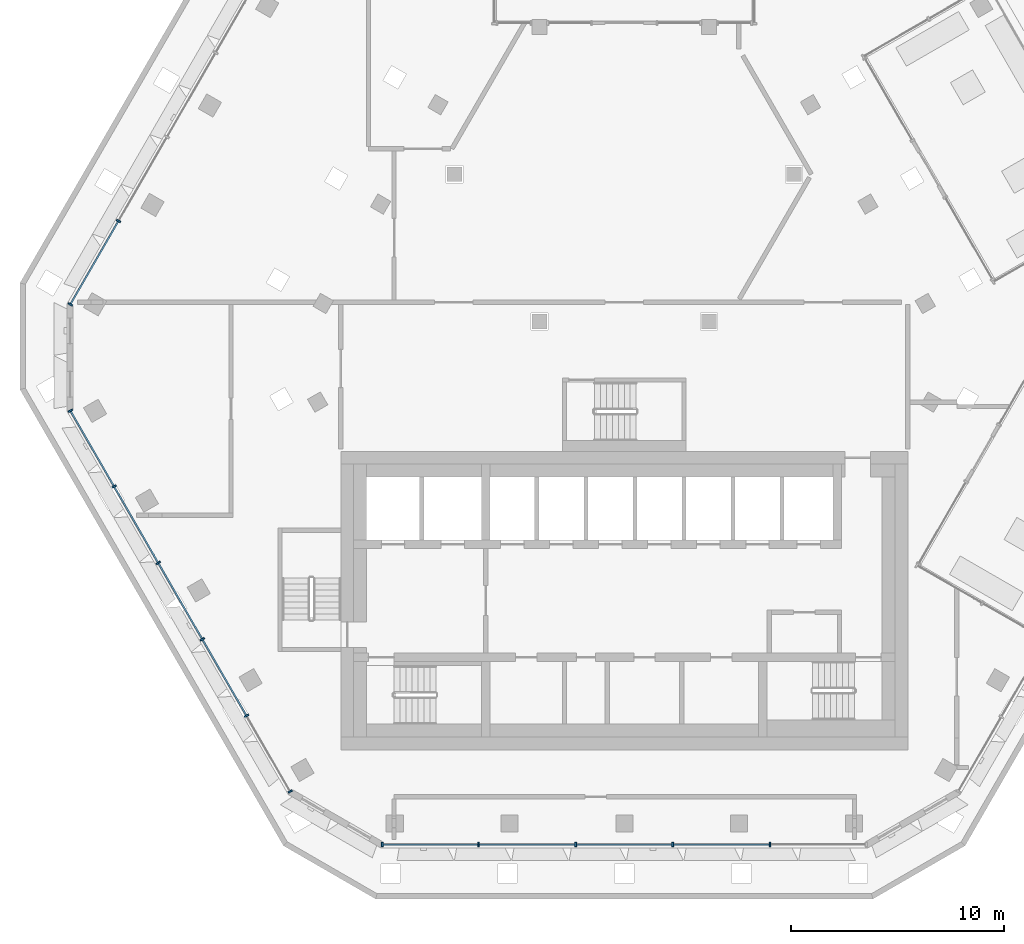
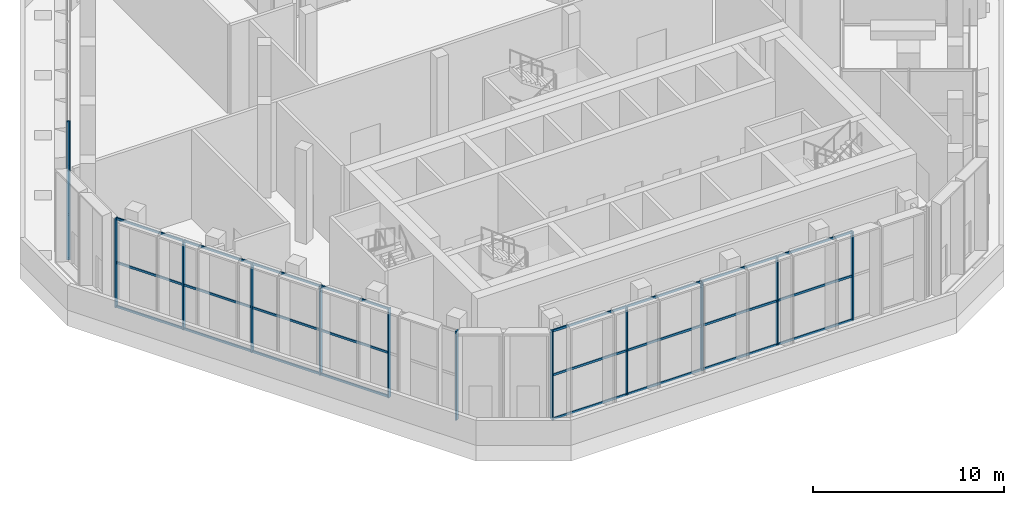
# One storey, part 2 of 23: 40 members, 3 elements without a shape of their own.
"""IFC4 building model written with IfcOpenShell, lengths in metres."""

from ifc_helpers import new_model, si_unit, direction, frame, origin, origin_2d, place, context, subcontext, project, spatial, rectangle, hollow_rectangle, extrude, material, material_profile, profile_set, type_object, element, aggregate, save


model = new_model("IFC4")

# Units and contexts
model_context = context("Model", 3, precision=1e-05, world=origin(), true_north=direction((0.0, 1.0)))
body_context = subcontext(model_context, "Body", "Model", "MODEL_VIEW")
ifc_project = project(units=[si_unit("LENGTHUNIT", "METRE"), si_unit("AREAUNIT", "SQUARE_METRE"), si_unit("VOLUMEUNIT", "CUBIC_METRE"), si_unit("PLANEANGLEUNIT", "RADIAN"), si_unit("MASSUNIT", "GRAM", prefix="KILO")], contexts=[model_context])

# Site, building, storey
site_placement = place(None, origin())
site = spatial("IfcSite", under=ifc_project, at=site_placement, CompositionType="ELEMENT")
building_placement = place(site_placement, origin())
building = spatial("IfcBuilding", under=site, at=building_placement, Name="Beryl Residences", CompositionType="ELEMENT")
storey_placement = place(building_placement, frame((0.0, 0.0, 157.199951171875)))
storey = spatial("IfcBuildingStorey", under=building, at=storey_placement, Name="L48", CompositionType="ELEMENT", Elevation=157.199951171875)

# Curtain wall, members
ifc_material_1 = material(Name="Aluminium and clear glass", Category="aluminium")
curtain_wall_type = type_object("IfcCurtainWallType", Name="CW3 sky garden glazing glazed wall", PredefinedType="NOTDEFINED", material=ifc_material_1)
curtain_wall_1_placement = place(storey_placement, origin())
curtain_wall_1 = element("IfcCurtainWall", 1, at=curtain_wall_1_placement, inside=storey, type_object=curtain_wall_type, Name="CW3 L48 NW", PredefinedType="NOTDEFINED")
ifc_material_2 = material(Name="Aluminium", Category="aluminium")
ifc_material_profile_1 = material_profile(ifc_material_2, rectangle(XDim=0.080078125, YDim=0.219970703125, at=origin_2d()))
ifc_profile_set_1 = profile_set([ifc_material_profile_1], Name="Aluminium")
member_type_1 = type_object("IfcMemberType", Name="CW3-M mullion 80 x 220 mm", PredefinedType="MULLION", material=ifc_profile_set_1)
member_1_placement = place(storey_placement, frame((-23.725830078125, 5.805908203125, 0.0), z_axis=(0.0, 0.0, 1.0), x_axis=(-0.499996022832, -0.866027699992, 0.0)))
member_1 = element("IfcMember", 2, at=member_1_placement, type_object=member_type_1, Name="CW3 mullion 5", PredefinedType="MULLION", context=body_context, shape_type="SweptSolid", body=[
    extrude(rectangle(XDim=0.080078125, YDim=0.219970703125, at=origin_2d()), origin(), (0.0, 0.0, 1.0), 5.699951171875),
])
member_2_placement = place(storey_placement, frame((-25.98388671875, 1.89453125, 0.0), z_axis=(0.0, 0.0, 1.0), x_axis=(-0.499996022832, -0.866027699992, 0.0)))
member_2 = element("IfcMember", 3, at=member_2_placement, type_object=member_type_1, Name="CW3 mullion 6", PredefinedType="MULLION", context=body_context, shape_type="SweptSolid", body=[
    extrude(rectangle(XDim=0.080078125, YDim=0.219970703125, at=origin_2d()), origin(), (0.0, 0.0, 1.0), 5.699951171875),
])

curtain_wall_2_placement = place(storey_placement, origin())
curtain_wall_2 = element("IfcCurtainWall", 4, at=curtain_wall_2_placement, inside=storey, type_object=curtain_wall_type, Name="CW3 L48 SW", PredefinedType="NOTDEFINED")
member_3_placement = place(storey_placement, frame((-25.98291015625, -3.0947265625, 0.0), z_axis=(0.0, 0.0, 1.0), x_axis=(0.500003972941, -0.866023109994, 0.0)))
member_3 = element("IfcMember", 5, at=member_3_placement, type_object=member_type_1, Name="CW3 mullion 1", PredefinedType="MULLION", context=body_context, shape_type="SweptSolid", body=[
    extrude(rectangle(XDim=0.080078125, YDim=0.219970703125, at=origin_2d()), origin(), (0.0, 0.0, 1.0), 5.699951171875),
])
member_4_placement = place(storey_placement, frame((-23.9326171875, -6.64599609375, 0.0), z_axis=(0.0, 0.0, 1.0), x_axis=(0.500003972941, -0.866023109994, 0.0)))
member_4 = element("IfcMember", 6, at=member_4_placement, type_object=member_type_1, Name="CW3 mullion 2", PredefinedType="MULLION", context=body_context, shape_type="SweptSolid", body=[
    extrude(rectangle(XDim=0.080078125, YDim=0.219970703125, at=origin_2d()), origin(), (0.0, 0.0, 1.0), 5.699951171875),
])
member_5_placement = place(storey_placement, frame((-21.8623046875, -10.23193359375, 0.0), z_axis=(0.0, 0.0, 1.0), x_axis=(0.500003972941, -0.866023109994, 0.0)))
member_5 = element("IfcMember", 7, at=member_5_placement, type_object=member_type_1, Name="CW3 mullion 3", PredefinedType="MULLION", context=body_context, shape_type="SweptSolid", body=[
    extrude(rectangle(XDim=0.080078125, YDim=0.219970703125, at=origin_2d()), origin(), (0.0, 0.0, 1.0), 5.699951171875),
])
member_6_placement = place(storey_placement, frame((-19.791748046875, -13.818115234375, 0.0), z_axis=(0.0, 0.0, 1.0), x_axis=(0.500003972941, -0.866023109994, 0.0)))
member_6 = element("IfcMember", 8, at=member_6_placement, type_object=member_type_1, Name="CW3 mullion 4", PredefinedType="MULLION", context=body_context, shape_type="SweptSolid", body=[
    extrude(rectangle(XDim=0.080078125, YDim=0.219970703125, at=origin_2d()), origin(), (0.0, 0.0, 1.0), 5.699951171875),
])
member_7_placement = place(storey_placement, frame((-17.721435546875, -17.404052734375, 0.0), z_axis=(0.0, 0.0, 1.0), x_axis=(0.500003972941, -0.866023109994, 0.0)))
member_7 = element("IfcMember", 9, at=member_7_placement, type_object=member_type_1, Name="CW3 mullion 5", PredefinedType="MULLION", context=body_context, shape_type="SweptSolid", body=[
    extrude(rectangle(XDim=0.080078125, YDim=0.219970703125, at=origin_2d()), origin(), (0.0, 0.0, 1.0), 5.699951171875),
])
member_8_placement = place(storey_placement, frame((-15.6708984375, -20.955322265625, 0.0), z_axis=(0.0, 0.0, 1.0), x_axis=(0.500003972941, -0.866023109994, 0.0)))
member_8 = element("IfcMember", 10, at=member_8_placement, type_object=member_type_1, Name="CW3 mullion 6", PredefinedType="MULLION", context=body_context, shape_type="SweptSolid", body=[
    extrude(rectangle(XDim=0.080078125, YDim=0.219970703125, at=origin_2d()), origin(), (0.0, 0.0, 1.0), 5.699951171875),
])

curtain_wall_3_placement = place(storey_placement, origin())
curtain_wall_3 = element("IfcCurtainWall", 11, at=curtain_wall_3_placement, inside=storey, type_object=curtain_wall_type, Name="CW3 L48 S", PredefinedType="NOTDEFINED")
member_9_placement = place(storey_placement, frame((-11.35107421875, -23.449951171875, 0.0), z_axis=(0.0, 0.0, 1.0), x_axis=(1.0, 0.0, 0.0)))
member_9 = element("IfcMember", 12, at=member_9_placement, type_object=member_type_1, Name="CW3 mullion 1", PredefinedType="MULLION", context=body_context, shape_type="SweptSolid", body=[
    extrude(rectangle(XDim=0.080078125, YDim=0.219970703125, at=origin_2d()), origin(), (0.0, 0.0, 1.0), 5.699951171875),
])
member_10_placement = place(storey_placement, frame((-6.834716796875, -23.449951171875, 0.0), z_axis=(0.0, 0.0, 1.0), x_axis=(1.0, 0.0, 0.0)))
member_10 = element("IfcMember", 13, at=member_10_placement, type_object=member_type_1, Name="CW3 mullion 2", PredefinedType="MULLION", context=body_context, shape_type="SweptSolid", body=[
    extrude(rectangle(XDim=0.080078125, YDim=0.219970703125, at=origin_2d()), origin(), (0.0, 0.0, 1.0), 5.699951171875),
])
member_11_placement = place(storey_placement, frame((-2.2783203125, -23.449951171875, 0.0), z_axis=(0.0, 0.0, 1.0), x_axis=(1.0, 0.0, 0.0)))
member_11 = element("IfcMember", 14, at=member_11_placement, type_object=member_type_1, Name="CW3 mullion 3", PredefinedType="MULLION", context=body_context, shape_type="SweptSolid", body=[
    extrude(rectangle(XDim=0.080078125, YDim=0.219970703125, at=origin_2d()), origin(), (0.0, 0.0, 1.0), 5.699951171875),
])
member_12_placement = place(storey_placement, frame((2.2783203125, -23.449951171875, 0.0), z_axis=(0.0, 0.0, 1.0), x_axis=(1.0, 0.0, 0.0)))
member_12 = element("IfcMember", 15, at=member_12_placement, type_object=member_type_1, Name="CW3 mullion 4", PredefinedType="MULLION", context=body_context, shape_type="SweptSolid", body=[
    extrude(rectangle(XDim=0.080078125, YDim=0.219970703125, at=origin_2d()), origin(), (0.0, 0.0, 1.0), 5.699951171875),
])
member_13_placement = place(storey_placement, frame((6.834716796875, -23.449951171875, 0.0), z_axis=(0.0, 0.0, 1.0), x_axis=(1.0, 0.0, 0.0)))
member_13 = element("IfcMember", 16, at=member_13_placement, type_object=member_type_1, Name="CW3 mullion 5", PredefinedType="MULLION", context=body_context, shape_type="SweptSolid", body=[
    extrude(rectangle(XDim=0.080078125, YDim=0.219970703125, at=origin_2d()), origin(), (0.0, 0.0, 1.0), 5.699951171875),
])

# Member
ifc_material_3 = material(Name="Aluminium", Category="aluminium")
ifc_material_profile_2 = material_profile(ifc_material_3, hollow_rectangle(XDim=0.080078125, YDim=0.139892578125, WallThickness=0.00390625, at=origin_2d()))
ifc_profile_set_2 = profile_set([ifc_material_profile_2], Name="Aluminium")
member_type_2 = type_object("IfcMemberType", Name="CW3-T transom 80 x 140 mm", PredefinedType="USERDEFINED", material=ifc_profile_set_2)
member_14_placement = place(storey_placement, frame((-23.745849609375, 5.771240234375, 0.0400390625), z_axis=(-0.500009856552, -0.866019713027, 0.0), x_axis=(0.866019713027, -0.500009856552, 0.0)))
member_14 = element("IfcMember", 17, at=member_14_placement, type_object=member_type_2, Name="CW3 transom 5.1", ObjectType="TRANSOM", PredefinedType="USERDEFINED", context=body_context, shape_type="SweptSolid", body=[
    extrude(hollow_rectangle(XDim=0.080078125, YDim=0.139892578125, WallThickness=0.00390625, at=origin_2d()), origin(), (0.0, 0.0, 1.0), 4.4365234375),
])

member_15_placement = place(storey_placement, frame((-23.745849609375, 5.771240234375, 2.85009765625), z_axis=(-0.500009856552, -0.866019713027, 0.0), x_axis=(0.866019713027, -0.500009856552, 0.0)))
member_15 = element("IfcMember", 18, at=member_15_placement, type_object=member_type_2, Name="CW3 transom 5.2", ObjectType="TRANSOM", PredefinedType="USERDEFINED", context=body_context, shape_type="SweptSolid", body=[
    extrude(hollow_rectangle(XDim=0.080078125, YDim=0.139892578125, WallThickness=0.00390625, at=origin_2d()), origin(), (0.0, 0.0, 1.0), 4.4365234375),
])

member_16_placement = place(storey_placement, frame((-23.745849609375, 5.771240234375, 5.66015625), z_axis=(-0.500009856552, -0.866019713027, 0.0), x_axis=(0.866019713027, -0.500009856552, 0.0)))
member_16 = element("IfcMember", 19, at=member_16_placement, type_object=member_type_2, Name="CW3 transom 5.3", ObjectType="TRANSOM", PredefinedType="USERDEFINED", context=body_context, shape_type="SweptSolid", body=[
    extrude(hollow_rectangle(XDim=0.080078125, YDim=0.139892578125, WallThickness=0.00390625, at=origin_2d()), origin(), (0.0, 0.0, 1.0), 4.4365234375),
])

aggregate(curtain_wall_1, [member_1, member_2, member_14, member_15, member_16])

member_17_placement = place(storey_placement, frame((-25.962890625, -3.12939453125, 0.0400390625), z_axis=(0.499992278798, -0.866029861576, 0.0), x_axis=(0.866029861576, 0.499992278798, 0.0)))
member_17 = element("IfcMember", 20, at=member_17_placement, type_object=member_type_2, Name="CW3 transom 1.1", ObjectType="TRANSOM", PredefinedType="USERDEFINED", context=body_context, shape_type="SweptSolid", body=[
    extrude(hollow_rectangle(XDim=0.080078125, YDim=0.139892578125, WallThickness=0.00390625, at=origin_2d()), origin(), (0.0, 0.0, 1.0), 4.0205078125),
])

member_18_placement = place(storey_placement, frame((-25.962890625, -3.12939453125, 2.85009765625), z_axis=(0.499992278798, -0.866029861576, 0.0), x_axis=(0.866029861576, 0.499992278798, 0.0)))
member_18 = element("IfcMember", 21, at=member_18_placement, type_object=member_type_2, Name="CW3 transom 1.2", ObjectType="TRANSOM", PredefinedType="USERDEFINED", context=body_context, shape_type="SweptSolid", body=[
    extrude(hollow_rectangle(XDim=0.080078125, YDim=0.139892578125, WallThickness=0.00390625, at=origin_2d()), origin(), (0.0, 0.0, 1.0), 4.0205078125),
])

member_19_placement = place(storey_placement, frame((-25.962890625, -3.12939453125, 5.66015625), z_axis=(0.499992278798, -0.866029861576, 0.0), x_axis=(0.866029861576, 0.499992278798, 0.0)))
member_19 = element("IfcMember", 22, at=member_19_placement, type_object=member_type_2, Name="CW3 transom 1.3", ObjectType="TRANSOM", PredefinedType="USERDEFINED", context=body_context, shape_type="SweptSolid", body=[
    extrude(hollow_rectangle(XDim=0.080078125, YDim=0.139892578125, WallThickness=0.00390625, at=origin_2d()), origin(), (0.0, 0.0, 1.0), 4.0205078125),
])

member_20_placement = place(storey_placement, frame((-23.91259765625, -6.6806640625, 0.0400390625), z_axis=(0.500038179774, -0.86600335956, 0.0), x_axis=(0.86600335956, 0.500038179774, 0.0)))
member_20 = element("IfcMember", 23, at=member_20_placement, type_object=member_type_2, Name="CW3 transom 2.1", ObjectType="TRANSOM", PredefinedType="USERDEFINED", context=body_context, shape_type="SweptSolid", body=[
    extrude(hollow_rectangle(XDim=0.080078125, YDim=0.139892578125, WallThickness=0.00390625, at=origin_2d()), origin(), (0.0, 0.0, 1.0), 4.060791015625),
])

member_21_placement = place(storey_placement, frame((-23.91259765625, -6.6806640625, 2.85009765625), z_axis=(0.500038179774, -0.86600335956, 0.0), x_axis=(0.86600335956, 0.500038179774, 0.0)))
member_21 = element("IfcMember", 24, at=member_21_placement, type_object=member_type_2, Name="CW3 transom 2.2", ObjectType="TRANSOM", PredefinedType="USERDEFINED", context=body_context, shape_type="SweptSolid", body=[
    extrude(hollow_rectangle(XDim=0.080078125, YDim=0.139892578125, WallThickness=0.00390625, at=origin_2d()), origin(), (0.0, 0.0, 1.0), 4.060791015625),
])

member_22_placement = place(storey_placement, frame((-23.91259765625, -6.6806640625, 5.66015625), z_axis=(0.500038179774, -0.86600335956, 0.0), x_axis=(0.86600335956, 0.500038179774, 0.0)))
member_22 = element("IfcMember", 25, at=member_22_placement, type_object=member_type_2, Name="CW3 transom 2.3", ObjectType="TRANSOM", PredefinedType="USERDEFINED", context=body_context, shape_type="SweptSolid", body=[
    extrude(hollow_rectangle(XDim=0.080078125, YDim=0.139892578125, WallThickness=0.00390625, at=origin_2d()), origin(), (0.0, 0.0, 1.0), 4.060791015625),
])

member_23_placement = place(storey_placement, frame((-21.84228515625, -10.2666015625, 0.0400390625), z_axis=(0.500012145806, -0.866018391287, 0.0), x_axis=(0.866018391287, 0.500012145806, 0.0)))
member_23 = element("IfcMember", 26, at=member_23_placement, type_object=member_type_2, Name="CW3 transom 3.1", ObjectType="TRANSOM", PredefinedType="USERDEFINED", context=body_context, shape_type="SweptSolid", body=[
    extrude(hollow_rectangle(XDim=0.080078125, YDim=0.139892578125, WallThickness=0.00390625, at=origin_2d()), origin(), (0.0, 0.0, 1.0), 4.06103515625),
])

member_24_placement = place(storey_placement, frame((-21.84228515625, -10.2666015625, 2.85009765625), z_axis=(0.500012145806, -0.866018391287, 0.0), x_axis=(0.866018391287, 0.500012145806, 0.0)))
member_24 = element("IfcMember", 27, at=member_24_placement, type_object=member_type_2, Name="CW3 transom 3.2", ObjectType="TRANSOM", PredefinedType="USERDEFINED", context=body_context, shape_type="SweptSolid", body=[
    extrude(hollow_rectangle(XDim=0.080078125, YDim=0.139892578125, WallThickness=0.00390625, at=origin_2d()), origin(), (0.0, 0.0, 1.0), 4.06103515625),
])

member_25_placement = place(storey_placement, frame((-21.84228515625, -10.2666015625, 5.66015625), z_axis=(0.500012145806, -0.866018391287, 0.0), x_axis=(0.866018391287, 0.500012145806, 0.0)))
member_25 = element("IfcMember", 28, at=member_25_placement, type_object=member_type_2, Name="CW3 transom 3.3", ObjectType="TRANSOM", PredefinedType="USERDEFINED", context=body_context, shape_type="SweptSolid", body=[
    extrude(hollow_rectangle(XDim=0.080078125, YDim=0.139892578125, WallThickness=0.00390625, at=origin_2d()), origin(), (0.0, 0.0, 1.0), 4.06103515625),
])

member_26_placement = place(storey_placement, frame((-19.771728515625, -13.8525390625, 0.0400390625), z_axis=(0.499967055034, -0.866044423734, 0.0), x_axis=(0.866044423734, 0.499967055034, 0.0)))
member_26 = element("IfcMember", 29, at=member_26_placement, type_object=member_type_2, Name="CW3 transom 4.1", ObjectType="TRANSOM", PredefinedType="USERDEFINED", context=body_context, shape_type="SweptSolid", body=[
    extrude(hollow_rectangle(XDim=0.080078125, YDim=0.139892578125, WallThickness=0.00390625, at=origin_2d()), origin(), (0.0, 0.0, 1.0), 4.060791015625),
])

member_27_placement = place(storey_placement, frame((-19.771728515625, -13.8525390625, 2.85009765625), z_axis=(0.499967055034, -0.866044423734, 0.0), x_axis=(0.866044423734, 0.499967055034, 0.0)))
member_27 = element("IfcMember", 30, at=member_27_placement, type_object=member_type_2, Name="CW3 transom 4.2", ObjectType="TRANSOM", PredefinedType="USERDEFINED", context=body_context, shape_type="SweptSolid", body=[
    extrude(hollow_rectangle(XDim=0.080078125, YDim=0.139892578125, WallThickness=0.00390625, at=origin_2d()), origin(), (0.0, 0.0, 1.0), 4.060791015625),
])

member_28_placement = place(storey_placement, frame((-19.771728515625, -13.8525390625, 5.66015625), z_axis=(0.499967055034, -0.866044423734, 0.0), x_axis=(0.866044423734, 0.499967055034, 0.0)))
member_28 = element("IfcMember", 31, at=member_28_placement, type_object=member_type_2, Name="CW3 transom 4.3", ObjectType="TRANSOM", PredefinedType="USERDEFINED", context=body_context, shape_type="SweptSolid", body=[
    extrude(hollow_rectangle(XDim=0.080078125, YDim=0.139892578125, WallThickness=0.00390625, at=origin_2d()), origin(), (0.0, 0.0, 1.0), 4.060791015625),
])

aggregate(curtain_wall_2, [member_3, member_4, member_5, member_6, member_7, member_8, member_17, member_18, member_19, member_20, member_21, member_22, member_23, member_24, member_25, member_26, member_27, member_28])

member_29_placement = place(storey_placement, frame((-11.31103515625, -23.449951171875, 0.0400390625), z_axis=(1.0, 0.0, 0.0), x_axis=(0.0, 1.0, 0.0)))
member_29 = element("IfcMember", 32, at=member_29_placement, type_object=member_type_2, Name="CW3 transom 1.1", ObjectType="TRANSOM", PredefinedType="USERDEFINED", context=body_context, shape_type="SweptSolid", body=[
    extrude(hollow_rectangle(XDim=0.080078125, YDim=0.139892578125, WallThickness=0.00390625, at=origin_2d()), origin(), (0.0, 0.0, 1.0), 4.4365234375),
])

member_30_placement = place(storey_placement, frame((-11.31103515625, -23.449951171875, 2.85009765625), z_axis=(1.0, 0.0, 0.0), x_axis=(0.0, 1.0, 0.0)))
member_30 = element("IfcMember", 33, at=member_30_placement, type_object=member_type_2, Name="CW3 transom 1.2", ObjectType="TRANSOM", PredefinedType="USERDEFINED", context=body_context, shape_type="SweptSolid", body=[
    extrude(hollow_rectangle(XDim=0.080078125, YDim=0.139892578125, WallThickness=0.00390625, at=origin_2d()), origin(), (0.0, 0.0, 1.0), 4.4365234375),
])

member_31_placement = place(storey_placement, frame((-11.31103515625, -23.449951171875, 5.66015625), z_axis=(1.0, 0.0, 0.0), x_axis=(0.0, 1.0, 0.0)))
member_31 = element("IfcMember", 34, at=member_31_placement, type_object=member_type_2, Name="CW3 transom 1.3", ObjectType="TRANSOM", PredefinedType="USERDEFINED", context=body_context, shape_type="SweptSolid", body=[
    extrude(hollow_rectangle(XDim=0.080078125, YDim=0.139892578125, WallThickness=0.00390625, at=origin_2d()), origin(), (0.0, 0.0, 1.0), 4.4365234375),
])

member_32_placement = place(storey_placement, frame((-6.794677734375, -23.449951171875, 0.0400390625), z_axis=(1.0, 0.0, 0.0), x_axis=(0.0, 1.0, 0.0)))
member_32 = element("IfcMember", 35, at=member_32_placement, type_object=member_type_2, Name="CW3 transom 2.1", ObjectType="TRANSOM", PredefinedType="USERDEFINED", context=body_context, shape_type="SweptSolid", body=[
    extrude(hollow_rectangle(XDim=0.080078125, YDim=0.139892578125, WallThickness=0.00390625, at=origin_2d()), origin(), (0.0, 0.0, 1.0), 4.4765625),
])

member_33_placement = place(storey_placement, frame((-6.794677734375, -23.449951171875, 2.85009765625), z_axis=(1.0, 0.0, 0.0), x_axis=(0.0, 1.0, 0.0)))
member_33 = element("IfcMember", 36, at=member_33_placement, type_object=member_type_2, Name="CW3 transom 2.2", ObjectType="TRANSOM", PredefinedType="USERDEFINED", context=body_context, shape_type="SweptSolid", body=[
    extrude(hollow_rectangle(XDim=0.080078125, YDim=0.139892578125, WallThickness=0.00390625, at=origin_2d()), origin(), (0.0, 0.0, 1.0), 4.4765625),
])

member_34_placement = place(storey_placement, frame((-6.794677734375, -23.449951171875, 5.66015625), z_axis=(1.0, 0.0, 0.0), x_axis=(0.0, 1.0, 0.0)))
member_34 = element("IfcMember", 37, at=member_34_placement, type_object=member_type_2, Name="CW3 transom 2.3", ObjectType="TRANSOM", PredefinedType="USERDEFINED", context=body_context, shape_type="SweptSolid", body=[
    extrude(hollow_rectangle(XDim=0.080078125, YDim=0.139892578125, WallThickness=0.00390625, at=origin_2d()), origin(), (0.0, 0.0, 1.0), 4.4765625),
])

member_35_placement = place(storey_placement, frame((-2.23828125, -23.449951171875, 0.0400390625), z_axis=(1.0, 0.0, 0.0), x_axis=(0.0, 1.0, 0.0)))
member_35 = element("IfcMember", 38, at=member_35_placement, type_object=member_type_2, Name="CW3 transom 3.1", ObjectType="TRANSOM", PredefinedType="USERDEFINED", context=body_context, shape_type="SweptSolid", body=[
    extrude(hollow_rectangle(XDim=0.080078125, YDim=0.139892578125, WallThickness=0.00390625, at=origin_2d()), origin(), (0.0, 0.0, 1.0), 4.4765625),
])

member_36_placement = place(storey_placement, frame((-2.23828125, -23.449951171875, 2.85009765625), z_axis=(1.0, 0.0, 0.0), x_axis=(0.0, 1.0, 0.0)))
member_36 = element("IfcMember", 39, at=member_36_placement, type_object=member_type_2, Name="CW3 transom 3.2", ObjectType="TRANSOM", PredefinedType="USERDEFINED", context=body_context, shape_type="SweptSolid", body=[
    extrude(hollow_rectangle(XDim=0.080078125, YDim=0.139892578125, WallThickness=0.00390625, at=origin_2d()), origin(), (0.0, 0.0, 1.0), 4.4765625),
])

member_37_placement = place(storey_placement, frame((-2.23828125, -23.449951171875, 5.66015625), z_axis=(1.0, 0.0, 0.0), x_axis=(0.0, 1.0, 0.0)))
member_37 = element("IfcMember", 40, at=member_37_placement, type_object=member_type_2, Name="CW3 transom 3.3", ObjectType="TRANSOM", PredefinedType="USERDEFINED", context=body_context, shape_type="SweptSolid", body=[
    extrude(hollow_rectangle(XDim=0.080078125, YDim=0.139892578125, WallThickness=0.00390625, at=origin_2d()), origin(), (0.0, 0.0, 1.0), 4.4765625),
])

member_38_placement = place(storey_placement, frame((2.318115234375, -23.449951171875, 0.0400390625), z_axis=(1.0, 0.0, 0.0), x_axis=(0.0, 1.0, 0.0)))
member_38 = element("IfcMember", 41, at=member_38_placement, type_object=member_type_2, Name="CW3 transom 4.1", ObjectType="TRANSOM", PredefinedType="USERDEFINED", context=body_context, shape_type="SweptSolid", body=[
    extrude(hollow_rectangle(XDim=0.080078125, YDim=0.139892578125, WallThickness=0.00390625, at=origin_2d()), origin(), (0.0, 0.0, 1.0), 4.4765625),
])

member_39_placement = place(storey_placement, frame((2.318115234375, -23.449951171875, 2.85009765625), z_axis=(1.0, 0.0, 0.0), x_axis=(0.0, 1.0, 0.0)))
member_39 = element("IfcMember", 42, at=member_39_placement, type_object=member_type_2, Name="CW3 transom 4.2", ObjectType="TRANSOM", PredefinedType="USERDEFINED", context=body_context, shape_type="SweptSolid", body=[
    extrude(hollow_rectangle(XDim=0.080078125, YDim=0.139892578125, WallThickness=0.00390625, at=origin_2d()), origin(), (0.0, 0.0, 1.0), 4.4765625),
])

member_40_placement = place(storey_placement, frame((2.318115234375, -23.449951171875, 5.66015625), z_axis=(1.0, 0.0, 0.0), x_axis=(0.0, 1.0, 0.0)))
member_40 = element("IfcMember", 43, at=member_40_placement, type_object=member_type_2, Name="CW3 transom 4.3", ObjectType="TRANSOM", PredefinedType="USERDEFINED", context=body_context, shape_type="SweptSolid", body=[
    extrude(hollow_rectangle(XDim=0.080078125, YDim=0.139892578125, WallThickness=0.00390625, at=origin_2d()), origin(), (0.0, 0.0, 1.0), 4.4765625),
])

aggregate(curtain_wall_3, [member_9, member_10, member_11, member_12, member_13, member_29, member_30, member_31, member_32, member_33, member_34, member_35, member_36, member_37, member_38, member_39, member_40])

save(model, "model.ifc")
